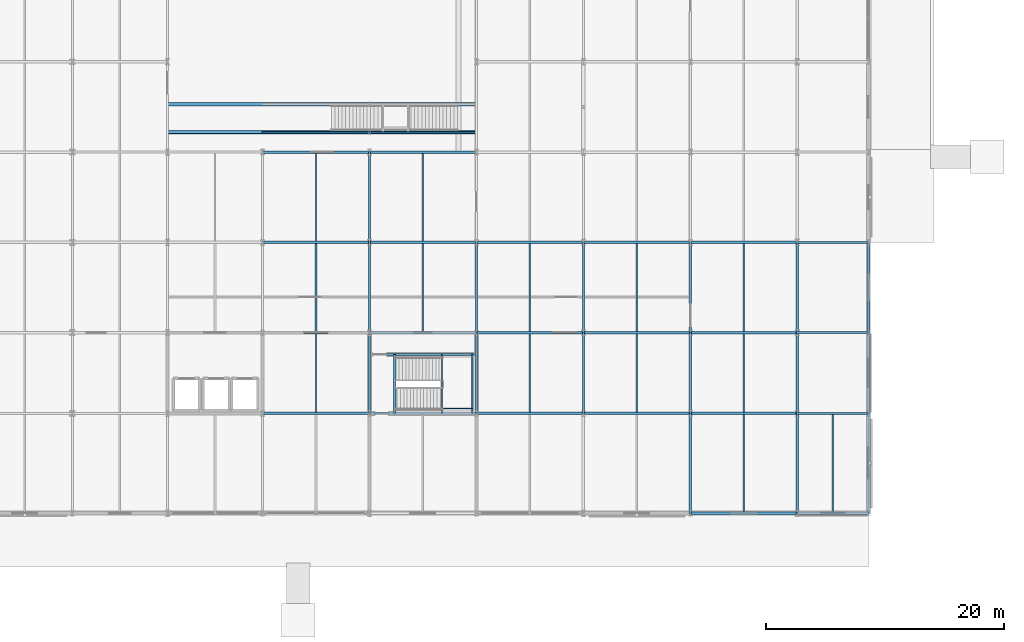
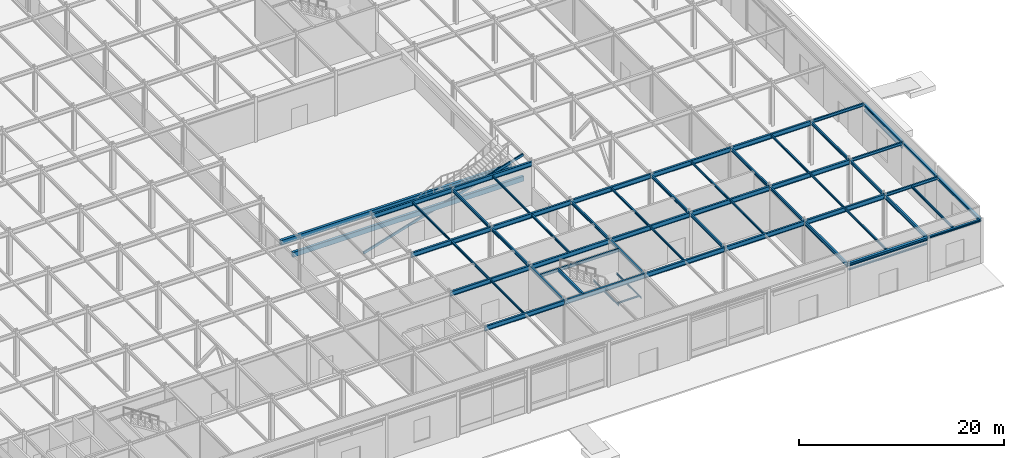
# One storey, part 45 of 89: 60 beams, 1 member.
"""IFC4 building model written with IfcOpenShell, lengths in metres."""

from ifc_helpers import new_model, si_unit, direction, frame, origin, origin_2d, place, context, subcontext, project, spatial, hollow_rectangle, i_section, extrude, material, material_profile, profile_set, type_object, element, save


model = new_model("IFC4")

# Units and contexts
model_context = context("Model", 3, precision=1e-05, world=origin(), true_north=direction((0.0, 1.0)))
body_context = subcontext(model_context, "Body", "Model", "MODEL_VIEW")
ifc_project = project(units=[si_unit("LENGTHUNIT", "METRE"), si_unit("AREAUNIT", "SQUARE_METRE"), si_unit("VOLUMEUNIT", "CUBIC_METRE"), si_unit("PLANEANGLEUNIT", "RADIAN"), si_unit("MASSUNIT", "GRAM", prefix="KILO")], contexts=[model_context])

# Site, building, storey
site_placement = place(None, origin())
site = spatial("IfcSite", under=ifc_project, at=site_placement, CompositionType="ELEMENT")
building_placement = place(site_placement, origin())
building = spatial("IfcBuilding", under=site, at=building_placement, Name="Shalkamar Park Central Library", CompositionType="ELEMENT")
storey_placement = place(building_placement, origin())
storey = spatial("IfcBuildingStorey", under=building, at=storey_placement, Name="L01", CompositionType="ELEMENT", Elevation=0.0)

# Beams
ifc_material = material(Name="Steel S355", Category="steel")
ifc_material_profile_1 = material_profile(ifc_material, hollow_rectangle(XDim=0.300048828125, YDim=0.60009765625, WallThickness=0.01611328125, InnerFilletRadius=0.01611328125, OuterFilletRadius=0.02392578125, at=origin_2d()), Name="RHS 600x300x16")
ifc_profile_set_1 = profile_set([ifc_material_profile_1], Name="Steel S355")
beam_type_1 = type_object("IfcBeamType", Name="Atrium Monumental Stringer RHS600x300", PredefinedType="BEAM", material=ifc_profile_set_1)
for number, where, z_axis, x_axis, name in (
    (1, (229.0, 272.080078125, 2.1201171875), (1.0, 0.0, 0.0), (0.0, 1.0, 0.0), "Atrium Stair ST-A1 Carriage Girder S"),
    (2, (229.0, 274.419921875, 2.1201171875), (1.0, 0.0, 0.0), (0.0, 1.0, 0.0), "Atrium Stair ST-A1 Carriage Girder N"),
):
    element("IfcBeam", number, at=place(storey_placement, frame(where, z_axis=z_axis, x_axis=x_axis)), inside=storey, type_object=beam_type_1, Name=name, PredefinedType="BEAM", context=body_context, shape_type="SweptSolid", body=[
        extrude(hollow_rectangle(XDim=0.300048828125, YDim=0.60009765625, WallThickness=0.01611328125, InnerFilletRadius=0.01611328125, OuterFilletRadius=0.02392578125, at=origin_2d()), origin(), (0.0, 0.0, 1.0), 26.0),
    ])
ifc_material_profile_2 = material_profile(ifc_material, i_section(OverallWidth=0.10009765625, OverallDepth=0.199951171875, WebThickness=0.005615234375, FlangeThickness=0.008544921875, FilletRadius=0.011962890625, at=origin_2d()), Name="IPE 200")
ifc_profile_set_2 = profile_set([ifc_material_profile_2], Name="Steel S355")
beam_type_2 = type_object("IfcBeamType", Name="Composite Floor Joist IPE200", PredefinedType="JOIST", material=ifc_profile_set_2)
for number, where, z_axis, x_axis, name in (
    (3, (252.10498046875, 248.39990234375, 2.320068359375), (0.0, 1.0, 0.0), (-1.0, 0.0, 0.0), "Stair Half-Landing Beam ST-P3-L01-1"),
    (4, (254.64501953125, 248.39990234375, 2.320068359375), (0.0, 1.0, 0.0), (-1.0, 0.0, 0.0), "Stair Half-Landing Beam ST-P3-L01-2"),
):
    element("IfcBeam", number, at=place(storey_placement, frame(where, z_axis=z_axis, x_axis=x_axis)), inside=storey, type_object=beam_type_2, Name=name, PredefinedType="JOIST", context=body_context, shape_type="SweptSolid", body=[
        extrude(i_section(OverallWidth=0.10009765625, OverallDepth=0.199951171875, WebThickness=0.005615234375, FlangeThickness=0.008544921875, FilletRadius=0.011962890625, at=origin_2d()), origin(), (0.0, 0.0, 1.0), 4.9501953125),
    ])
beam_1_placement = place(storey_placement, frame((252.10498046875, 248.824951171875, 2.320068359375), z_axis=(1.0, 0.0, 0.0), x_axis=(0.0, 1.0, 0.0)))
element("IfcBeam", 5, at=beam_1_placement, inside=storey, type_object=beam_type_2, Name="Stair Half-Landing Cross Tie ST-P3-L01-3", PredefinedType="JOIST", context=body_context, shape_type="SweptSolid", body=[
    extrude(i_section(OverallWidth=0.10009765625, OverallDepth=0.199951171875, WebThickness=0.005615234375, FlangeThickness=0.008544921875, FilletRadius=0.011962890625, at=origin_2d()), origin(), (0.0, 0.0, 1.0), 2.5400390625),
])
ifc_material_profile_3 = material_profile(ifc_material, i_section(OverallWidth=0.1201171875, OverallDepth=0.239990234375, WebThickness=0.006103515625, FlangeThickness=0.009765625, FilletRadius=0.014892578125, at=origin_2d()), Name="IPE 240")
ifc_profile_set_3 = profile_set([ifc_material_profile_3], Name="Steel S355")
beam_type_3 = type_object("IfcBeamType", Name="Composite Floor Joist IPE240", PredefinedType="JOIST", material=ifc_profile_set_3)
beam_2_placement = place(storey_placement, frame((241.5, 248.5029296875, 5.02001953125), z_axis=(0.0, 1.0, 0.0), x_axis=(-1.0, 0.0, 0.0)))
element("IfcBeam", 6, at=beam_2_placement, inside=storey, type_object=beam_type_3, Name="Composite Joist 16/B-1 (L01)", PredefinedType="JOIST", context=body_context, shape_type="SweptSolid", body=[
    extrude(i_section(OverallWidth=0.1201171875, OverallDepth=0.239990234375, WebThickness=0.006103515625, FlangeThickness=0.009765625, FilletRadius=0.014892578125, at=origin_2d()), origin(), (0.0, 0.0, 1.0), 6.593994140625),
])
for number, where, z_axis, x_axis, name in (
    (7, (241.5, 262.903076171875, 5.02001953125), (0.0, 1.0, 0.0), (-1.0, 0.0, 0.0), "Composite Joist 16/D-1 (L01)"),
    (8, (250.5, 262.903076171875, 5.02001953125), (0.0, 1.0, 0.0), (-1.0, 0.0, 0.0), "Composite Joist 17/D-1 (L01)"),
):
    element("IfcBeam", number, at=place(storey_placement, frame(where, z_axis=z_axis, x_axis=x_axis)), inside=storey, type_object=beam_type_3, Name=name, PredefinedType="JOIST", context=body_context, shape_type="SweptSolid", body=[
        extrude(i_section(OverallWidth=0.1201171875, OverallDepth=0.239990234375, WebThickness=0.006103515625, FlangeThickness=0.009765625, FilletRadius=0.014892578125, at=origin_2d()), origin(), (0.0, 0.0, 1.0), 7.39404296875),
    ])
for number, where, z_axis, x_axis, name in (
    (9, (259.5, 248.5029296875, 5.02001953125), (0.0, 1.0, 0.0), (-1.0, 0.0, 0.0), "Composite Joist 18/B-1 (L01)"),
    (10, (268.5, 248.5029296875, 5.02001953125), (0.0, 1.0, 0.0), (-1.0, 0.0, 0.0), "Composite Joist 19/B-1 (L01)"),
    (11, (277.5, 248.5029296875, 5.030029296875), (0.0, 1.0, 0.0), (-1.0, 0.0, 0.0), "Composite Joist 20/B-1 (L01)"),
):
    element("IfcBeam", number, at=place(storey_placement, frame(where, z_axis=z_axis, x_axis=x_axis)), inside=storey, type_object=beam_type_3, Name=name, PredefinedType="JOIST", context=body_context, shape_type="SweptSolid", body=[
        extrude(i_section(OverallWidth=0.1201171875, OverallDepth=0.239990234375, WebThickness=0.006103515625, FlangeThickness=0.009765625, FilletRadius=0.014892578125, at=origin_2d()), origin(), (0.0, 0.0, 1.0), 6.593994140625),
    ])
ifc_material_profile_4 = material_profile(ifc_material, i_section(OverallWidth=0.135009765625, OverallDepth=0.27001953125, WebThickness=0.006591796875, FlangeThickness=0.01025390625, FilletRadius=0.014892578125, at=origin_2d()), Name="IPE 270")
ifc_profile_set_4 = profile_set([ifc_material_profile_4], Name="Steel S355")
beam_type_4 = type_object("IfcBeamType", Name="Composite Floor Joist IPE270", PredefinedType="JOIST", material=ifc_profile_set_4)
for number, where, z_axis, x_axis, name in (
    (12, (241.5, 255.302978515625, 5.0048828125), (0.0, 1.0, 0.0), (-1.0, 0.0, 0.0), "Composite Joist 16/C-1 (L01)"),
    (13, (250.5, 255.302978515625, 5.0048828125), (0.0, 1.0, 0.0), (-1.0, 0.0, 0.0), "Composite Joist 17/C-1 (L01)"),
    (14, (259.5, 255.302978515625, 5.0048828125), (0.0, 1.0, 0.0), (-1.0, 0.0, 0.0), "Composite Joist 18/C-1 (L01)"),
    (15, (268.5, 255.302978515625, 5.0048828125), (0.0, 1.0, 0.0), (-1.0, 0.0, 0.0), "Composite Joist 19/C-1 (L01)"),
):
    element("IfcBeam", number, at=place(storey_placement, frame(where, z_axis=z_axis, x_axis=x_axis)), inside=storey, type_object=beam_type_4, Name=name, PredefinedType="JOIST", context=body_context, shape_type="SweptSolid", body=[
        extrude(i_section(OverallWidth=0.135009765625, OverallDepth=0.27001953125, WebThickness=0.006591796875, FlangeThickness=0.01025390625, FilletRadius=0.014892578125, at=origin_2d()), origin(), (0.0, 0.0, 1.0), 7.39404296875),
    ])
beam_3_placement = place(storey_placement, frame((277.5, 240.14794921875, 5.014892578125), z_axis=(0.0, 1.0, 0.0), x_axis=(-1.0, 0.0, 0.0)))
element("IfcBeam", 16, at=beam_3_placement, inside=storey, type_object=beam_type_4, Name="Composite Joist 20/A-1 (L01)", PredefinedType="JOIST", context=body_context, shape_type="SweptSolid", body=[
    extrude(i_section(OverallWidth=0.135009765625, OverallDepth=0.27001953125, WebThickness=0.006591796875, FlangeThickness=0.01025390625, FilletRadius=0.014892578125, at=origin_2d()), origin(), (0.0, 0.0, 1.0), 8.149169921875),
])
beam_4_placement = place(storey_placement, frame((277.5, 255.302978515625, 5.014892578125), z_axis=(0.0, 1.0, 0.0), x_axis=(-1.0, 0.0, 0.0)))
element("IfcBeam", 17, at=beam_4_placement, inside=storey, type_object=beam_type_4, Name="Composite Joist 20/C-1 (L01)", PredefinedType="JOIST", context=body_context, shape_type="SweptSolid", body=[
    extrude(i_section(OverallWidth=0.135009765625, OverallDepth=0.27001953125, WebThickness=0.006591796875, FlangeThickness=0.01025390625, FilletRadius=0.014892578125, at=origin_2d()), origin(), (0.0, 0.0, 1.0), 7.39404296875),
])
beam_5_placement = place(storey_placement, frame((285.0, 240.117919921875, 5.014892578125), z_axis=(0.0, 1.0, 0.0), x_axis=(-1.0, 0.0, 0.0)))
element("IfcBeam", 18, at=beam_5_placement, inside=storey, type_object=beam_type_4, Name="Composite Joist 21/A-1 (L01)", PredefinedType="JOIST", context=body_context, shape_type="SweptSolid", body=[
    extrude(i_section(OverallWidth=0.135009765625, OverallDepth=0.27001953125, WebThickness=0.006591796875, FlangeThickness=0.01025390625, FilletRadius=0.014892578125, at=origin_2d()), origin(), (0.0, 0.0, 1.0), 8.198974609375),
])
ifc_material_profile_5 = material_profile(ifc_material, i_section(OverallWidth=0.179931640625, OverallDepth=0.1708984375, WebThickness=0.006103515625, FlangeThickness=0.009521484375, FilletRadius=0.014892578125, at=origin_2d()), Name="HEA 180")
ifc_profile_set_5 = profile_set([ifc_material_profile_5], Name="Steel S355")
beam_type_5 = type_object("IfcBeamType", Name="Opening Lintel Beam HEA180", PredefinedType="LINTEL", material=ifc_profile_set_5)
beam_6_placement = place(storey_placement, frame((273.080078125, 240.0, 4.35009765625), z_axis=(1.0, 0.0, 0.0), x_axis=(0.0, 1.0, 0.0)))
element("IfcBeam", 19, at=beam_6_placement, inside=storey, type_object=beam_type_5, Name="Opening Lintel L01-08", PredefinedType="LINTEL", context=body_context, shape_type="SweptSolid", body=[
    extrude(i_section(OverallWidth=0.179931640625, OverallDepth=0.1708984375, WebThickness=0.006103515625, FlangeThickness=0.009521484375, FilletRadius=0.014892578125, at=origin_2d()), origin(), (0.0, 0.0, 1.0), 8.83984375),
])
beam_7_placement = place(storey_placement, frame((288.0, 255.280029296875, 4.35009765625), z_axis=(0.0, 1.0, 0.0), x_axis=(-1.0, 0.0, 0.0)))
element("IfcBeam", 20, at=beam_7_placement, inside=storey, type_object=beam_type_5, Name="Opening Lintel L01-22", PredefinedType="LINTEL", context=body_context, shape_type="SweptSolid", body=[
    extrude(i_section(OverallWidth=0.179931640625, OverallDepth=0.1708984375, WebThickness=0.006103515625, FlangeThickness=0.009521484375, FilletRadius=0.014892578125, at=origin_2d()), origin(), (0.0, 0.0, 1.0), 7.43994140625),
])
ifc_material_profile_6 = material_profile(ifc_material, i_section(OverallWidth=0.239990234375, OverallDepth=0.22998046875, WebThickness=0.007568359375, FlangeThickness=0.011962890625, FilletRadius=0.02099609375, at=origin_2d()), Name="HEA 240")
ifc_profile_set_6 = profile_set([ifc_material_profile_6], Name="Steel S355")
beam_type_6 = type_object("IfcBeamType", Name="Perimeter Spandrel Beam HEA240", PredefinedType="SPANDREL", material=ifc_profile_set_6)
beam_8_placement = place(storey_placement, frame((282.0, 240.0, 5.034912109375), z_axis=(1.0, 0.0, 0.0), x_axis=(0.0, 1.0, 0.0)))
element("IfcBeam", 21, at=beam_8_placement, inside=storey, type_object=beam_type_6, Name="Beam A:21-22 (L01)", PredefinedType="SPANDREL", context=body_context, shape_type="SweptSolid", body=[
    extrude(i_section(OverallWidth=0.239990234375, OverallDepth=0.22998046875, WebThickness=0.007568359375, FlangeThickness=0.011962890625, FilletRadius=0.02099609375, at=origin_2d()), origin(), (0.0, 0.0, 1.0), 6.0),
])
beam_9_placement = place(storey_placement, frame((288.0, 248.39990234375, 5.034912109375), z_axis=(0.0, 1.0, 0.0), x_axis=(-1.0, 0.0, 0.0)))
element("IfcBeam", 22, at=beam_9_placement, inside=storey, type_object=beam_type_6, Name="Beam 22:B-C (L01)", PredefinedType="SPANDREL", context=body_context, shape_type="SweptSolid", body=[
    extrude(i_section(OverallWidth=0.239990234375, OverallDepth=0.22998046875, WebThickness=0.007568359375, FlangeThickness=0.011962890625, FilletRadius=0.02099609375, at=origin_2d()), origin(), (0.0, 0.0, 1.0), 6.800048828125),
])
ifc_material_profile_7 = material_profile(ifc_material, i_section(OverallWidth=0.280029296875, OverallDepth=0.27001953125, WebThickness=0.008056640625, FlangeThickness=0.012939453125, FilletRadius=0.02392578125, at=origin_2d()), Name="HEA 280")
ifc_profile_set_7 = profile_set([ifc_material_profile_7], Name="Steel S355")
beam_type_7 = type_object("IfcBeamType", Name="Perimeter Spandrel Beam HEA280", PredefinedType="SPANDREL", material=ifc_profile_set_7)
beam_10_placement = place(storey_placement, frame((288.0, 255.199951171875, 5.014892578125), z_axis=(0.0, 1.0, 0.0), x_axis=(-1.0, 0.0, 0.0)))
element("IfcBeam", 23, at=beam_10_placement, inside=storey, type_object=beam_type_7, Name="Beam 22:C-D (L01)", PredefinedType="SPANDREL", context=body_context, shape_type="SweptSolid", body=[
    extrude(i_section(OverallWidth=0.280029296875, OverallDepth=0.27001953125, WebThickness=0.008056640625, FlangeThickness=0.012939453125, FilletRadius=0.02392578125, at=origin_2d()), origin(), (0.0, 0.0, 1.0), 7.60009765625),
])
ifc_material_profile_8 = material_profile(ifc_material, i_section(OverallWidth=0.300048828125, OverallDepth=0.31005859375, WebThickness=0.009033203125, FlangeThickness=0.015380859375, FilletRadius=0.027099609375, at=origin_2d()), Name="HEA 320")
ifc_profile_set_8 = profile_set([ifc_material_profile_8], Name="Steel S355")
beam_type_8 = type_object("IfcBeamType", Name="Perimeter Spandrel Beam HEA320", PredefinedType="SPANDREL", material=ifc_profile_set_8)
beam_11_placement = place(storey_placement, frame((288.0, 240.0, 4.9951171875), z_axis=(0.0, 1.0, 0.0), x_axis=(-1.0, 0.0, 0.0)))
element("IfcBeam", 24, at=beam_11_placement, inside=storey, type_object=beam_type_8, Name="Beam 22:A-B (L01)", PredefinedType="SPANDREL", context=body_context, shape_type="SweptSolid", body=[
    extrude(i_section(OverallWidth=0.300048828125, OverallDepth=0.31005859375, WebThickness=0.009033203125, FlangeThickness=0.015380859375, FilletRadius=0.027099609375, at=origin_2d()), origin(), (0.0, 0.0, 1.0), 8.39990234375),
])
ifc_material_profile_9 = material_profile(ifc_material, i_section(OverallWidth=0.300048828125, OverallDepth=0.35009765625, WebThickness=0.010009765625, FlangeThickness=0.017578125, FilletRadius=0.027099609375, at=origin_2d()), Name="HEA 360")
ifc_profile_set_9 = profile_set([ifc_material_profile_9], Name="Steel S355")
beam_type_9 = type_object("IfcBeamType", Name="Perimeter Spandrel Beam HEA360", PredefinedType="SPANDREL", material=ifc_profile_set_9)
beam_12_placement = place(storey_placement, frame((273.0, 240.0, 4.97509765625), z_axis=(1.0, 0.0, 0.0), x_axis=(0.0, 1.0, 0.0)))
element("IfcBeam", 25, at=beam_12_placement, inside=storey, type_object=beam_type_9, Name="Beam A:20-21 (L01)", PredefinedType="SPANDREL", context=body_context, shape_type="SweptSolid", body=[
    extrude(i_section(OverallWidth=0.300048828125, OverallDepth=0.35009765625, WebThickness=0.010009765625, FlangeThickness=0.017578125, FilletRadius=0.027099609375, at=origin_2d()), origin(), (0.0, 0.0, 1.0), 9.0),
])
ifc_material_profile_10 = material_profile(ifc_material, i_section(OverallWidth=0.169921875, OverallDepth=0.360107421875, WebThickness=0.008056640625, FlangeThickness=0.0126953125, FilletRadius=0.01806640625, at=origin_2d()), Name="IPE 360")
ifc_profile_set_10 = profile_set([ifc_material_profile_10], Name="Steel S355")
beam_type_10 = type_object("IfcBeamType", Name="Primary Girder IPE360", PredefinedType="BEAM", material=ifc_profile_set_10)
for number, where, z_axis, x_axis, name in (
    (26, (282.0, 248.39990234375, 4.969970703125), (1.0, 0.0, 0.0), (0.0, 1.0, 0.0), "Beam B:21-22 (L01)"),
    (27, (282.0, 255.199951171875, 4.969970703125), (1.0, 0.0, 0.0), (0.0, 1.0, 0.0), "Beam C:21-22 (L01)"),
    (28, (282.0, 262.800048828125, 4.969970703125), (1.0, 0.0, 0.0), (0.0, 1.0, 0.0), "Beam D:21-22 (L01)"),
):
    element("IfcBeam", number, at=place(storey_placement, frame(where, z_axis=z_axis, x_axis=x_axis)), inside=storey, type_object=beam_type_10, Name=name, PredefinedType="BEAM", context=body_context, shape_type="SweptSolid", body=[
        extrude(i_section(OverallWidth=0.169921875, OverallDepth=0.360107421875, WebThickness=0.008056640625, FlangeThickness=0.0126953125, FilletRadius=0.01806640625, at=origin_2d()), origin(), (0.0, 0.0, 1.0), 6.0),
    ])
beam_13_placement = place(storey_placement, frame((246.0, 248.39990234375, 4.9599609375), z_axis=(0.0, 1.0, 0.0), x_axis=(-1.0, 0.0, 0.0)))
element("IfcBeam", 29, at=beam_13_placement, inside=storey, type_object=beam_type_10, Name="Beam 17:B-C (L01)", PredefinedType="BEAM", context=body_context, shape_type="SweptSolid", body=[
    extrude(i_section(OverallWidth=0.169921875, OverallDepth=0.360107421875, WebThickness=0.008056640625, FlangeThickness=0.0126953125, FilletRadius=0.01806640625, at=origin_2d()), origin(), (0.0, 0.0, 1.0), 6.800048828125),
])
beam_14_placement = place(storey_placement, frame((246.0, 255.199951171875, 4.9599609375), z_axis=(0.0, 1.0, 0.0), x_axis=(-1.0, 0.0, 0.0)))
element("IfcBeam", 30, at=beam_14_placement, inside=storey, type_object=beam_type_10, Name="Beam 17:C-D (L01)", PredefinedType="BEAM", context=body_context, shape_type="SweptSolid", body=[
    extrude(i_section(OverallWidth=0.169921875, OverallDepth=0.360107421875, WebThickness=0.008056640625, FlangeThickness=0.0126953125, FilletRadius=0.01806640625, at=origin_2d()), origin(), (0.0, 0.0, 1.0), 7.60009765625),
])
beam_15_placement = place(storey_placement, frame((246.0, 262.800048828125, 4.9599609375), z_axis=(0.0, 1.0, 0.0), x_axis=(-1.0, 0.0, 0.0)))
element("IfcBeam", 31, at=beam_15_placement, inside=storey, type_object=beam_type_10, Name="Beam 17:D-E (L01)", PredefinedType="BEAM", context=body_context, shape_type="SweptSolid", body=[
    extrude(i_section(OverallWidth=0.169921875, OverallDepth=0.360107421875, WebThickness=0.008056640625, FlangeThickness=0.0126953125, FilletRadius=0.01806640625, at=origin_2d()), origin(), (0.0, 0.0, 1.0), 7.599853515625),
])
beam_16_placement = place(storey_placement, frame((255.0, 248.39990234375, 4.9599609375), z_axis=(0.0, 1.0, 0.0), x_axis=(-1.0, 0.0, 0.0)))
element("IfcBeam", 32, at=beam_16_placement, inside=storey, type_object=beam_type_10, Name="Beam 18:B-C (L01)", PredefinedType="BEAM", context=body_context, shape_type="SweptSolid", body=[
    extrude(i_section(OverallWidth=0.169921875, OverallDepth=0.360107421875, WebThickness=0.008056640625, FlangeThickness=0.0126953125, FilletRadius=0.01806640625, at=origin_2d()), origin(), (0.0, 0.0, 1.0), 6.800048828125),
])
beam_17_placement = place(storey_placement, frame((255.0, 255.199951171875, 4.9599609375), z_axis=(0.0, 1.0, 0.0), x_axis=(-1.0, 0.0, 0.0)))
element("IfcBeam", 33, at=beam_17_placement, inside=storey, type_object=beam_type_10, Name="Beam 18:C-D (L01)", PredefinedType="BEAM", context=body_context, shape_type="SweptSolid", body=[
    extrude(i_section(OverallWidth=0.169921875, OverallDepth=0.360107421875, WebThickness=0.008056640625, FlangeThickness=0.0126953125, FilletRadius=0.01806640625, at=origin_2d()), origin(), (0.0, 0.0, 1.0), 7.60009765625),
])
beam_18_placement = place(storey_placement, frame((264.0, 248.39990234375, 4.9599609375), z_axis=(0.0, 1.0, 0.0), x_axis=(-1.0, 0.0, 0.0)))
element("IfcBeam", 34, at=beam_18_placement, inside=storey, type_object=beam_type_10, Name="Beam 19:B-C (L01)", PredefinedType="BEAM", context=body_context, shape_type="SweptSolid", body=[
    extrude(i_section(OverallWidth=0.169921875, OverallDepth=0.360107421875, WebThickness=0.008056640625, FlangeThickness=0.0126953125, FilletRadius=0.01806640625, at=origin_2d()), origin(), (0.0, 0.0, 1.0), 6.800048828125),
])
beam_19_placement = place(storey_placement, frame((264.0, 255.199951171875, 4.9599609375), z_axis=(0.0, 1.0, 0.0), x_axis=(-1.0, 0.0, 0.0)))
element("IfcBeam", 35, at=beam_19_placement, inside=storey, type_object=beam_type_10, Name="Beam 19:C-D (L01)", PredefinedType="BEAM", context=body_context, shape_type="SweptSolid", body=[
    extrude(i_section(OverallWidth=0.169921875, OverallDepth=0.360107421875, WebThickness=0.008056640625, FlangeThickness=0.0126953125, FilletRadius=0.01806640625, at=origin_2d()), origin(), (0.0, 0.0, 1.0), 7.60009765625),
])
beam_20_placement = place(storey_placement, frame((273.0, 248.39990234375, 4.9599609375), z_axis=(0.0, 1.0, 0.0), x_axis=(-1.0, 0.0, 0.0)))
element("IfcBeam", 36, at=beam_20_placement, inside=storey, type_object=beam_type_10, Name="Beam 20:B-C (L01)", PredefinedType="BEAM", context=body_context, shape_type="SweptSolid", body=[
    extrude(i_section(OverallWidth=0.169921875, OverallDepth=0.360107421875, WebThickness=0.008056640625, FlangeThickness=0.0126953125, FilletRadius=0.01806640625, at=origin_2d()), origin(), (0.0, 0.0, 1.0), 6.800048828125),
])
beam_21_placement = place(storey_placement, frame((273.0, 255.199951171875, 4.9599609375), z_axis=(0.0, 1.0, 0.0), x_axis=(-1.0, 0.0, 0.0)))
element("IfcBeam", 37, at=beam_21_placement, inside=storey, type_object=beam_type_10, Name="Beam 20:C-D (L01)", PredefinedType="BEAM", context=body_context, shape_type="SweptSolid", body=[
    extrude(i_section(OverallWidth=0.169921875, OverallDepth=0.360107421875, WebThickness=0.008056640625, FlangeThickness=0.0126953125, FilletRadius=0.01806640625, at=origin_2d()), origin(), (0.0, 0.0, 1.0), 7.60009765625),
])
beam_22_placement = place(storey_placement, frame((282.0, 248.39990234375, 4.969970703125), z_axis=(0.0, 1.0, 0.0), x_axis=(-1.0, 0.0, 0.0)))
element("IfcBeam", 38, at=beam_22_placement, inside=storey, type_object=beam_type_10, Name="Beam 21:B-C (L01)", PredefinedType="BEAM", context=body_context, shape_type="SweptSolid", body=[
    extrude(i_section(OverallWidth=0.169921875, OverallDepth=0.360107421875, WebThickness=0.008056640625, FlangeThickness=0.0126953125, FilletRadius=0.01806640625, at=origin_2d()), origin(), (0.0, 0.0, 1.0), 6.800048828125),
])
beam_23_placement = place(storey_placement, frame((282.0, 255.199951171875, 4.969970703125), z_axis=(0.0, 1.0, 0.0), x_axis=(-1.0, 0.0, 0.0)))
element("IfcBeam", 39, at=beam_23_placement, inside=storey, type_object=beam_type_10, Name="Beam 21:C-D (L01)", PredefinedType="BEAM", context=body_context, shape_type="SweptSolid", body=[
    extrude(i_section(OverallWidth=0.169921875, OverallDepth=0.360107421875, WebThickness=0.008056640625, FlangeThickness=0.0126953125, FilletRadius=0.01806640625, at=origin_2d()), origin(), (0.0, 0.0, 1.0), 7.60009765625),
])
beam_24_placement = place(storey_placement, frame((246.087890625, 253.35009765625, 4.9599609375), z_axis=(1.0, 0.0, 0.0), x_axis=(0.0, 1.0, 0.0)))
element("IfcBeam", 40, at=beam_24_placement, inside=storey, type_object=beam_type_10, Name="CORE-P3 Stairwell Divider Beam (L01)", PredefinedType="BEAM", context=body_context, shape_type="SweptSolid", body=[
    extrude(i_section(OverallWidth=0.169921875, OverallDepth=0.360107421875, WebThickness=0.008056640625, FlangeThickness=0.0126953125, FilletRadius=0.01806640625, at=origin_2d()), origin(), (0.0, 0.0, 1.0), 8.82421875),
])
ifc_material_profile_11 = material_profile(ifc_material, i_section(OverallWidth=0.18994140625, OverallDepth=0.449951171875, WebThickness=0.009521484375, FlangeThickness=0.0146484375, FilletRadius=0.02099609375, at=origin_2d()), Name="IPE 450")
ifc_profile_set_11 = profile_set([ifc_material_profile_11], Name="Steel S355")
beam_type_11 = type_object("IfcBeamType", Name="Primary Girder IPE450", PredefinedType="BEAM", material=ifc_profile_set_11)
for number, where, z_axis, x_axis, name in (
    (41, (273.0, 240.0, 4.9150390625), (0.0, 1.0, 0.0), (-1.0, 0.0, 0.0), "Beam 20:A-B (L01)"),
    (42, (282.0, 240.0, 4.925048828125), (0.0, 1.0, 0.0), (-1.0, 0.0, 0.0), "Beam 21:A-B (L01)"),
):
    element("IfcBeam", number, at=place(storey_placement, frame(where, z_axis=z_axis, x_axis=x_axis)), inside=storey, type_object=beam_type_11, Name=name, PredefinedType="BEAM", context=body_context, shape_type="SweptSolid", body=[
        extrude(i_section(OverallWidth=0.18994140625, OverallDepth=0.449951171875, WebThickness=0.009521484375, FlangeThickness=0.0146484375, FilletRadius=0.02099609375, at=origin_2d()), origin(), (0.0, 0.0, 1.0), 8.39990234375),
    ])
ifc_material_profile_12 = material_profile(ifc_material, i_section(OverallWidth=0.2099609375, OverallDepth=0.550048828125, WebThickness=0.010986328125, FlangeThickness=0.01708984375, FilletRadius=0.02392578125, at=origin_2d()), Name="IPE 550")
ifc_profile_set_12 = profile_set([ifc_material_profile_12], Name="Steel S355")
beam_type_12 = type_object("IfcBeamType", Name="Primary Girder IPE550", PredefinedType="BEAM", material=ifc_profile_set_12)
for number, where, z_axis, x_axis, name in (
    (43, (237.0, 248.39990234375, 4.864990234375), (1.0, 0.0, 0.0), (0.0, 1.0, 0.0), "Beam B:16-17 (L01)"),
    (44, (246.0, 248.39990234375, 4.864990234375), (1.0, 0.0, 0.0), (0.0, 1.0, 0.0), "Beam B:17-18 (L01)"),
    (45, (255.0, 248.39990234375, 4.864990234375), (1.0, 0.0, 0.0), (0.0, 1.0, 0.0), "Beam B:18-19 (L01)"),
    (46, (264.0, 248.39990234375, 4.864990234375), (1.0, 0.0, 0.0), (0.0, 1.0, 0.0), "Beam B:19-20 (L01)"),
    (47, (273.0, 248.39990234375, 4.864990234375), (1.0, 0.0, 0.0), (0.0, 1.0, 0.0), "Beam B:20-21 (L01)"),
    (48, (237.0, 255.199951171875, 4.864990234375), (1.0, 0.0, 0.0), (0.0, 1.0, 0.0), "Beam C:16-17 (L01)"),
    (49, (246.0, 255.199951171875, 4.864990234375), (1.0, 0.0, 0.0), (0.0, 1.0, 0.0), "Beam C:17-18 (L01)"),
    (50, (255.0, 255.199951171875, 4.864990234375), (1.0, 0.0, 0.0), (0.0, 1.0, 0.0), "Beam C:18-19 (L01)"),
    (51, (264.0, 255.199951171875, 4.864990234375), (1.0, 0.0, 0.0), (0.0, 1.0, 0.0), "Beam C:19-20 (L01)"),
    (52, (273.0, 255.199951171875, 4.864990234375), (1.0, 0.0, 0.0), (0.0, 1.0, 0.0), "Beam C:20-21 (L01)"),
    (53, (237.0, 262.800048828125, 4.864990234375), (1.0, 0.0, 0.0), (0.0, 1.0, 0.0), "Beam D:16-17 (L01)"),
    (54, (246.0, 262.800048828125, 4.864990234375), (1.0, 0.0, 0.0), (0.0, 1.0, 0.0), "Beam D:17-18 (L01)"),
    (55, (255.0, 262.800048828125, 4.864990234375), (1.0, 0.0, 0.0), (0.0, 1.0, 0.0), "Beam D:18-19 (L01)"),
    (56, (264.0, 262.800048828125, 4.864990234375), (1.0, 0.0, 0.0), (0.0, 1.0, 0.0), "Beam D:19-20 (L01)"),
    (57, (273.0, 262.800048828125, 4.864990234375), (1.0, 0.0, 0.0), (0.0, 1.0, 0.0), "Beam D:20-21 (L01)"),
    (58, (237.0, 270.39990234375, 4.864990234375), (1.0, 0.0, 0.0), (0.0, 1.0, 0.0), "Beam E:16-17 (L01)"),
    (59, (246.0, 270.39990234375, 4.864990234375), (1.0, 0.0, 0.0), (0.0, 1.0, 0.0), "Beam E:17-18 (L01)"),
):
    element("IfcBeam", number, at=place(storey_placement, frame(where, z_axis=z_axis, x_axis=x_axis)), inside=storey, type_object=beam_type_12, Name=name, PredefinedType="BEAM", context=body_context, shape_type="SweptSolid", body=[
        extrude(i_section(OverallWidth=0.2099609375, OverallDepth=0.550048828125, WebThickness=0.010986328125, FlangeThickness=0.01708984375, FilletRadius=0.02392578125, at=origin_2d()), origin(), (0.0, 0.0, 1.0), 9.0),
    ])

# Member
ifc_material_profile_13 = material_profile(ifc_material, hollow_rectangle(XDim=0.14990234375, YDim=0.300048828125, WallThickness=0.011962890625, InnerFilletRadius=0.011962890625, OuterFilletRadius=0.01806640625, at=origin_2d()), Name="RHS 300x150x12")
ifc_profile_set_13 = profile_set([ifc_material_profile_13], Name="Steel S355")
member_type = type_object("IfcMemberType", Name="Stair Stringer RHS300", PredefinedType="STRINGER", material=ifc_profile_set_13)
member_placement = place(storey_placement, frame((237.0, 272.06005859375, -0.5), z_axis=(0.957092178493, 0.0, 0.289783646654), x_axis=(0.0, 1.0, 0.0)))
element("IfcMember", 60, at=member_placement, inside=storey, type_object=member_type, Name="Monumental Stair ST-A1 Main Stringer S", PredefinedType="STRINGER", context=body_context, shape_type="SweptSolid", body=[
    extrude(hollow_rectangle(XDim=0.14990234375, YDim=0.300048828125, WallThickness=0.011962890625, InnerFilletRadius=0.011962890625, OuterFilletRadius=0.01806640625, at=origin_2d()), origin(), (0.0, 0.0, 1.0), 18.806884765625),
])

# Beam
ifc_material_profile_14 = material_profile(ifc_material, hollow_rectangle(XDim=0.199951171875, YDim=0.300048828125, WallThickness=0.011962890625, InnerFilletRadius=0.011962890625, OuterFilletRadius=0.01806640625, at=origin_2d()), Name="RHS 300x200x12")
ifc_profile_set_14 = profile_set([ifc_material_profile_14], Name="Steel S355")
beam_type_13 = type_object("IfcBeamType", Name="Stair Trimmer Box RHS300x200", PredefinedType="BEAM", material=ifc_profile_set_14)
beam_25_placement = place(storey_placement, frame((248.125, 248.39990234375, 4.989990234375), z_axis=(0.0, 1.0, 0.0), x_axis=(-1.0, 0.0, 0.0)))
element("IfcBeam", 61, at=beam_25_placement, inside=storey, type_object=beam_type_13, Name="Stair Arrival Trimmer Girder ST-P3-L01", PredefinedType="BEAM", context=body_context, shape_type="SweptSolid", body=[
    extrude(hollow_rectangle(XDim=0.199951171875, YDim=0.300048828125, WallThickness=0.011962890625, InnerFilletRadius=0.011962890625, OuterFilletRadius=0.01806640625, at=origin_2d()), origin(), (0.0, 0.0, 1.0), 4.9501953125),
])

save(model, "model.ifc")
